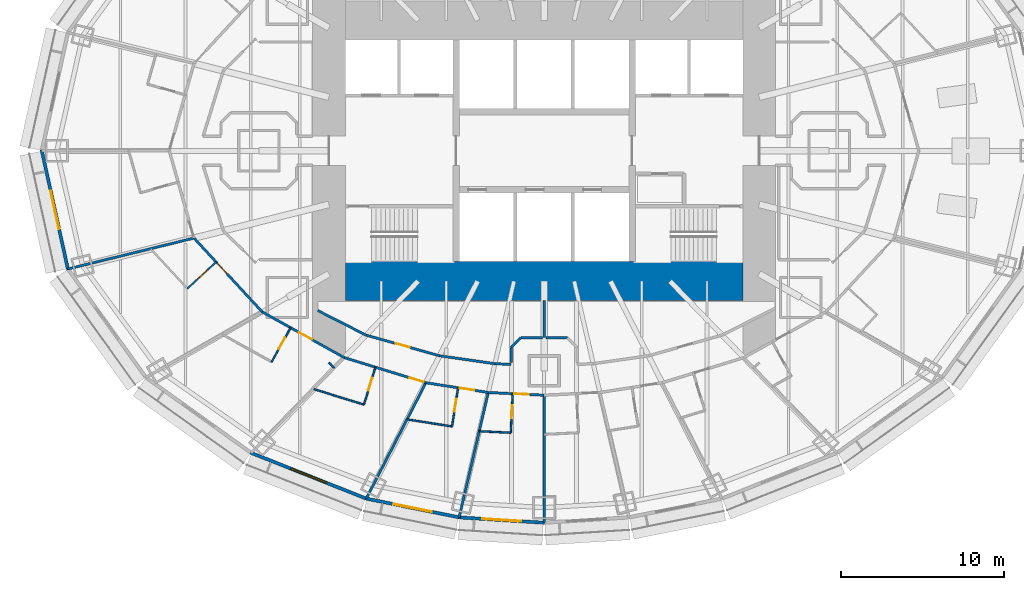
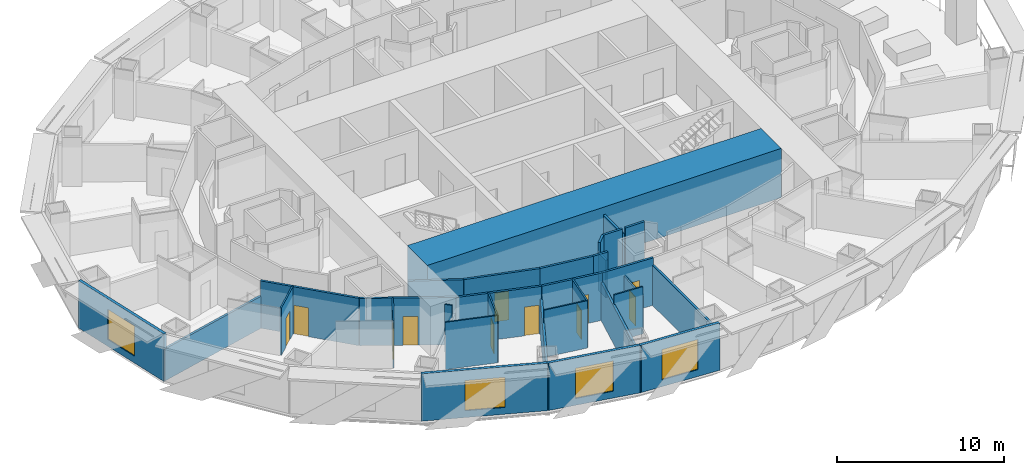
# One storey, part 5 of 17: 32 walls, 11 doors, 4 windows, 15 openings.
"""IFC4 building model written with IfcOpenShell, lengths in metres."""

from ifc_helpers import new_model, si_unit, direction, frame, frame_2d, origin, place, context, subcontext, project, spatial, rectangle, extrude, material, layer, layer_set, type_object, element, fill, save


model = new_model("IFC4")

# Units and contexts
model_context = context("Model", 3, precision=1e-05, world=origin(), true_north=direction((0.0, 1.0)))
body_context = subcontext(model_context, "Body", "Model", "MODEL_VIEW")
ifc_project = project(units=[si_unit("LENGTHUNIT", "METRE"), si_unit("AREAUNIT", "SQUARE_METRE"), si_unit("VOLUMEUNIT", "CUBIC_METRE"), si_unit("PLANEANGLEUNIT", "RADIAN"), si_unit("MASSUNIT", "GRAM", prefix="KILO")], contexts=[model_context])

# Site, building, storey
site_placement = place(None, origin())
site = spatial("IfcSite", under=ifc_project, at=site_placement, CompositionType="ELEMENT")
building_placement = place(site_placement, origin())
building = spatial("IfcBuilding", under=site, at=building_placement, Name="Lantaw Convention Tower", CompositionType="ELEMENT")
storey_placement = place(building_placement, frame((0.0, 0.0, 69.39990234375)))
storey = spatial("IfcBuildingStorey", under=building, at=storey_placement, Name="L15", CompositionType="ELEMENT", Elevation=69.39990234375)

# Walls
ifc_material_1 = material(Name="Gypsum board on steel studs", Category="steel")
ifc_layer_1 = layer(ifc_material_1, 0.14990234375)
ifc_layer_set_1 = layer_set([ifc_layer_1], Name="Back of house wall 150")
wall_type_1 = type_object("IfcWallType", Name="Back of house wall 150", PredefinedType="PARTITIONING", material=ifc_layer_set_1)
wall_1_placement = place(storey_placement, frame((0.0, -9.199951171875, 0.0), z_axis=(0.0, 0.0, 1.0), x_axis=(0.0, -1.0, 0.0)))
element("IfcWall", 1, at=wall_1_placement, inside=storey, type_object=wall_type_1, Name="Back of house wall 150", PredefinedType="PARTITIONING", context=body_context, shape_type="SweptSolid", body=[
    extrude(rectangle(XDim=2.26513671875, YDim=0.14990234375, at=frame_2d((1.132568359375, 0.0))), origin(), (0.0, 0.0, 1.0), 3.043701171875),
])
wall_2_placement = place(storey_placement, frame((-2.02490234375, -12.075439453125, 0.0), z_axis=(0.0, 0.0, 1.0), x_axis=(0.707106781187, 0.707106781187, 0.0)))
element("IfcWall", 2, at=wall_2_placement, inside=storey, type_object=wall_type_1, Name="Back of house wall 150", PredefinedType="PARTITIONING", context=body_context, shape_type="SweptSolid", body=[
    extrude(rectangle(XDim=0.84912109375, YDim=0.14990234375, at=frame_2d((0.424560546875, 0.0))), origin(), (0.0, 0.0, 1.0), 3.4501953125),
])
for number, where, z_axis, x_axis, name in (
    (3, (-1.424560546875, -11.47509765625, 0.0), (0.0, 0.0, 1.0), (1.0, 0.0, 0.0), "Back of house wall 150"),
    (4, (0.103271484375, -11.47509765625, 0.0), (0.0, 0.0, 1.0), (1.0, 0.0, 0.0), "Back of house wall 150"),
):
    element("IfcWall", number, at=place(storey_placement, frame(where, z_axis=z_axis, x_axis=x_axis)), inside=storey, type_object=wall_type_1, Name=name, PredefinedType="PARTITIONING", context=body_context, shape_type="SweptSolid", body=[
        extrude(rectangle(XDim=1.3212890625, YDim=0.14990234375, at=frame_2d((0.66064453125, 0.0))), origin(), (0.0, 0.0, 1.0), 3.4501953125),
    ])

# Wall, opening, door
ifc_material_2 = material(Name="Moisture resistant gypsum board on steel studs", Category="steel")
ifc_layer_2 = layer(ifc_material_2, 0.10009765625)
ifc_layer_set_2 = layer_set([ifc_layer_2], Name="Bathroom wall 100")
wall_type_2 = type_object("IfcWallType", Name="Bathroom wall 100", PredefinedType="PARTITIONING", material=ifc_layer_set_2)
wall_3_placement = place(storey_placement, frame((-20.126220703125, -6.825439453125, 0.0), z_axis=(0.0, 0.0, 1.0), x_axis=(-0.73447964986, -0.678630712495, 0.0)))
wall_3 = element("IfcWall", 5, at=wall_3_placement, inside=storey, type_object=wall_type_2, Name="Bathroom wall 100", PredefinedType="PARTITIONING", context=body_context, shape_type="SweptSolid", body=[
    extrude(rectangle(XDim=2.39990234375, YDim=0.10009765625, at=frame_2d((1.199951171875, 0.0))), origin(), (0.0, 0.0, 1.0), 3.4501953125),
])
opening_1_placement = place(wall_3_placement, frame((0.699951171875, 0.0, 0.0)))
opening_1 = element("IfcOpeningElement", 6, at=opening_1_placement, cuts=wall_3, Name="Opening L15.49", PredefinedType="OPENING", context=body_context, shape_type="SweptSolid", body=[
    extrude(rectangle(XDim=0.800048828125, YDim=2.10009765625, at=frame_2d((0.39990234375, 1.050048828125))), frame((0.0, 0.06005859375, 0.0), z_axis=(0.0, -1.0, 0.0), x_axis=(1.0, 0.0, 0.0)), (0.0, 0.0, 1.0), 0.1201171875),
])
ifc_material_3 = material(Name="Timber", Category="wood")
door_type_1 = type_object("IfcDoorType", Name="Bathroom door 800", OperationType="SINGLE_SWING_LEFT", PredefinedType="DOOR", material=ifc_material_3)
door_1_placement = place(opening_1_placement, origin())
door_1 = element("IfcDoor", 7, at=door_1_placement, inside=storey, type_object=door_type_1, Name="Bathroom door", OperationType="SINGLE_SWING_LEFT", OverallHeight=2.10009765625, OverallWidth=0.800048828125, PredefinedType="DOOR", context=body_context, shape_type="SweptSolid", body=[
    extrude(rectangle(XDim=0.800048828125, YDim=2.10009765625, at=frame_2d((0.39990234375, 1.050048828125))), frame((0.0, 0.02490234375, 0.0), z_axis=(0.0, -1.0, 0.0), x_axis=(1.0, 0.0, 0.0)), (0.0, 0.0, 1.0), 0.050048828125),
])
fill(opening_1, door_1)

wall_4_placement = place(storey_placement, frame((-15.5517578125, -10.858154296875, 0.0), z_axis=(0.0, 0.0, 1.0), x_axis=(-0.486445964861, -0.873710663361, 0.0)))
wall_4 = element("IfcWall", 8, at=wall_4_placement, inside=storey, type_object=wall_type_2, Name="Bathroom wall 100", PredefinedType="PARTITIONING", context=body_context, shape_type="SweptSolid", body=[
    extrude(rectangle(XDim=2.39990234375, YDim=0.10009765625, at=frame_2d((1.199951171875, 0.0))), origin(), (0.0, 0.0, 1.0), 3.4501953125),
])
opening_2_placement = place(wall_4_placement, frame((0.699951171875, 0.0, 0.0)))
opening_2 = element("IfcOpeningElement", 9, at=opening_2_placement, cuts=wall_4, Name="Opening L15.51", PredefinedType="OPENING", context=body_context, shape_type="SweptSolid", body=[
    extrude(rectangle(XDim=0.800048828125, YDim=2.10009765625, at=frame_2d((0.39990234375, 1.050048828125))), frame((0.0, 0.06005859375, 0.0), z_axis=(0.0, -1.0, 0.0), x_axis=(1.0, 0.0, 0.0)), (0.0, 0.0, 1.0), 0.1201171875),
])
door_2_placement = place(opening_2_placement, origin())
door_2 = element("IfcDoor", 10, at=door_2_placement, inside=storey, type_object=door_type_1, Name="Bathroom door", OperationType="SINGLE_SWING_LEFT", OverallHeight=2.10009765625, OverallWidth=0.800048828125, PredefinedType="DOOR", context=body_context, shape_type="SweptSolid", body=[
    extrude(rectangle(XDim=0.800048828125, YDim=2.10009765625, at=frame_2d((0.39990234375, 1.050048828125))), frame((0.0, 0.02490234375, 0.0), z_axis=(0.0, -1.0, 0.0), x_axis=(1.0, 0.0, 0.0)), (0.0, 0.0, 1.0), 0.050048828125),
])
fill(opening_2, door_2)

wall_5_placement = place(storey_placement, frame((-10.345703125, -13.281494140625, 0.0), z_axis=(0.0, 0.0, 1.0), x_axis=(-0.294478957423, -0.955657963727, 0.0)))
wall_5 = element("IfcWall", 11, at=wall_5_placement, inside=storey, type_object=wall_type_2, Name="Bathroom wall 100", PredefinedType="PARTITIONING", context=body_context, shape_type="SweptSolid", body=[
    extrude(rectangle(XDim=2.400146484375, YDim=0.10009765625, at=frame_2d((1.2001953125, 0.0))), origin(), (0.0, 0.0, 1.0), 3.4501953125),
])
opening_3_placement = place(wall_5_placement, frame((0.699951171875, 0.0, 0.0)))
opening_3 = element("IfcOpeningElement", 12, at=opening_3_placement, cuts=wall_5, Name="Opening L15.53", PredefinedType="OPENING", context=body_context, shape_type="SweptSolid", body=[
    extrude(rectangle(XDim=0.800048828125, YDim=2.10009765625, at=frame_2d((0.39990234375, 1.050048828125))), frame((0.0, 0.06005859375, 0.0), z_axis=(0.0, -1.0, 0.0), x_axis=(1.0, 0.0, 0.0)), (0.0, 0.0, 1.0), 0.1201171875),
])
door_3_placement = place(opening_3_placement, origin())
door_3 = element("IfcDoor", 13, at=door_3_placement, inside=storey, type_object=door_type_1, Name="Bathroom door", OperationType="SINGLE_SWING_LEFT", OverallHeight=2.10009765625, OverallWidth=0.800048828125, PredefinedType="DOOR", context=body_context, shape_type="SweptSolid", body=[
    extrude(rectangle(XDim=0.800048828125, YDim=2.10009765625, at=frame_2d((0.39990234375, 1.050048828125))), frame((0.0, 0.02490234375, 0.0), z_axis=(0.0, -1.0, 0.0), x_axis=(1.0, 0.0, 0.0)), (0.0, 0.0, 1.0), 0.050048828125),
])
fill(opening_3, door_3)

# Wall
wall_6_placement = place(storey_placement, frame((-11.052490234375, -15.5751953125, 0.0), z_axis=(0.0, 0.0, 1.0), x_axis=(-0.955641033268, 0.294533895391, 0.0)))
element("IfcWall", 14, at=wall_6_placement, inside=storey, type_object=wall_type_2, Name="Bathroom wall 100", PredefinedType="PARTITIONING", context=body_context, shape_type="SweptSolid", body=[
    extrude(rectangle(XDim=3.216064453125, YDim=0.10009765625, at=frame_2d((1.60791015625, 0.0))), origin(), (0.0, 0.0, 1.0), 3.4501953125),
])

# Wall, opening, door
wall_7_placement = place(storey_placement, frame((-5.27685546875, -14.54345703125, 0.0), z_axis=(0.0, 0.0, 1.0), x_axis=(-0.154426532979, -0.988004274238, 0.0)))
wall_7 = element("IfcWall", 15, at=wall_7_placement, inside=storey, type_object=wall_type_2, Name="Bathroom wall 100", PredefinedType="PARTITIONING", context=body_context, shape_type="SweptSolid", body=[
    extrude(rectangle(XDim=2.39990234375, YDim=0.10009765625, at=frame_2d((1.199951171875, 0.0))), origin(), (0.0, 0.0, 1.0), 3.4501953125),
])
opening_4_placement = place(wall_7_placement, frame((0.699951171875, 0.0, 0.0)))
opening_4 = element("IfcOpeningElement", 16, at=opening_4_placement, cuts=wall_7, Name="Opening L15.55", PredefinedType="OPENING", context=body_context, shape_type="SweptSolid", body=[
    extrude(rectangle(XDim=0.800048828125, YDim=2.10009765625, at=frame_2d((0.39990234375, 1.050048828125))), frame((0.0, 0.06005859375, 0.0), z_axis=(0.0, -1.0, 0.0), x_axis=(1.0, 0.0, 0.0)), (0.0, 0.0, 1.0), 0.1201171875),
])
door_4_placement = place(opening_4_placement, origin())
door_4 = element("IfcDoor", 17, at=door_4_placement, inside=storey, type_object=door_type_1, Name="Bathroom door", OperationType="SINGLE_SWING_LEFT", OverallHeight=2.10009765625, OverallWidth=0.800048828125, PredefinedType="DOOR", context=body_context, shape_type="SweptSolid", body=[
    extrude(rectangle(XDim=0.800048828125, YDim=2.10009765625, at=frame_2d((0.39990234375, 1.050048828125))), frame((0.0, 0.02490234375, 0.0), z_axis=(0.0, -1.0, 0.0), x_axis=(1.0, 0.0, 0.0)), (0.0, 0.0, 1.0), 0.050048828125),
])
fill(opening_4, door_4)

# Wall
wall_8_placement = place(storey_placement, frame((-5.6474609375, -16.91455078125, 0.0), z_axis=(0.0, 0.0, 1.0), x_axis=(-0.988015375833, 0.154355489429, 0.0)))
element("IfcWall", 18, at=wall_8_placement, inside=storey, type_object=wall_type_2, Name="Bathroom wall 100", PredefinedType="PARTITIONING", context=body_context, shape_type="SweptSolid", body=[
    extrude(rectangle(XDim=2.785400390625, YDim=0.10009765625, at=frame_2d((1.392578125, 0.0))), origin(), (0.0, 0.0, 1.0), 3.4501953125),
])

# Wall, opening, door
wall_9_placement = place(storey_placement, frame((-1.92626953125, -14.906005859375, 0.0), z_axis=(0.0, 0.0, 1.0), x_axis=(-0.048725028858, -0.998812230383, 0.0)))
wall_9 = element("IfcWall", 19, at=wall_9_placement, inside=storey, type_object=wall_type_2, Name="Bathroom wall 100", PredefinedType="PARTITIONING", context=body_context, shape_type="SweptSolid", body=[
    extrude(rectangle(XDim=2.400146484375, YDim=0.10009765625, at=frame_2d((1.2001953125, 0.0))), origin(), (0.0, 0.0, 1.0), 2.7490234375),
])
opening_5_placement = place(wall_9_placement, frame((0.699951171875, 0.0, 0.0)))
opening_5 = element("IfcOpeningElement", 20, at=opening_5_placement, cuts=wall_9, Name="Opening L15.57", PredefinedType="OPENING", context=body_context, shape_type="SweptSolid", body=[
    extrude(rectangle(XDim=0.800048828125, YDim=2.10009765625, at=frame_2d((0.39990234375, 1.050048828125))), frame((0.0, 0.06005859375, 0.0), z_axis=(0.0, -1.0, 0.0), x_axis=(1.0, 0.0, 0.0)), (0.0, 0.0, 1.0), 0.1201171875),
])
door_5_placement = place(opening_5_placement, origin())
door_5 = element("IfcDoor", 21, at=door_5_placement, inside=storey, type_object=door_type_1, Name="Bathroom door", OperationType="SINGLE_SWING_LEFT", OverallHeight=2.10009765625, OverallWidth=0.800048828125, PredefinedType="DOOR", context=body_context, shape_type="SweptSolid", body=[
    extrude(rectangle(XDim=0.800048828125, YDim=2.10009765625, at=frame_2d((0.39990234375, 1.050048828125))), frame((0.0, 0.02490234375, 0.0), z_axis=(0.0, -1.0, 0.0), x_axis=(1.0, 0.0, 0.0)), (0.0, 0.0, 1.0), 0.050048828125),
])
fill(opening_5, door_5)

# Walls
wall_10_placement = place(storey_placement, frame((-2.043212890625, -17.30322265625, 0.0), z_axis=(0.0, 0.0, 1.0), x_axis=(-0.998809649749, 0.048777900405, 0.0)))
element("IfcWall", 22, at=wall_10_placement, inside=storey, type_object=wall_type_2, Name="Bathroom wall 100", PredefinedType="PARTITIONING", context=body_context, shape_type="SweptSolid", body=[
    extrude(rectangle(XDim=1.931884765625, YDim=0.10009765625, at=frame_2d((0.9658203125, 0.0))), origin(), (0.0, 0.0, 1.0), 3.4501953125),
])
ifc_material_4 = material(Name="Concrete C60/75", Category="concrete")
ifc_layer_3 = layer(ifc_material_4, 2.39990234375)
ifc_layer_set_3 = layer_set([ifc_layer_3], Name="Core wall 2400")
wall_type_3 = type_object("IfcWallType", Name="Core wall 2400", PredefinedType="SHEAR", material=ifc_layer_set_3)
wall_11_placement = place(storey_placement, frame((-12.199951171875, -8.0, 0.0), z_axis=(0.0, 0.0, 1.0), x_axis=(1.0, 0.0, 0.0)))
element("IfcWall", 23, at=wall_11_placement, inside=storey, type_object=wall_type_3, Name="Core wall S", PredefinedType="SHEAR", context=body_context, shape_type="SweptSolid", body=[
    extrude(rectangle(XDim=24.39990234375, YDim=2.39990234375, at=frame_2d((12.199951171875, 0.0))), origin(), (0.0, 0.0, 1.0), 3.60009765625),
])

# Wall, opening, door
ifc_material_5 = material(Name="Gypsum board on steel studs, fire rated", Category="steel")
ifc_layer_4 = layer(ifc_material_5, 0.14990234375)
ifc_layer_set_4 = layer_set([ifc_layer_4], Name="Corridor wall 150 EI 60")
wall_type_4 = type_object("IfcWallType", Name="Corridor wall 150 EI 60", PredefinedType="PARTITIONING", material=ifc_layer_set_4)
wall_12_placement = place(storey_placement, frame((-21.483642578125, -5.3564453125, 0.0), z_axis=(0.0, 0.0, 1.0), x_axis=(0.678641806296, -0.734469399463, 0.0)))
wall_12 = element("IfcWall", 24, at=wall_12_placement, inside=storey, type_object=wall_type_4, Name="Corridor wall 150", PredefinedType="PARTITIONING", context=body_context, shape_type="SweptSolid", body=[
    extrude(rectangle(XDim=6.166015625, YDim=0.14990234375, at=frame_2d((3.0830078125, 0.0))), origin(), (0.0, 0.0, 1.0), 3.4501953125),
])
opening_6_placement = place(wall_12_placement, frame((2.10009765625, 0.0, 0.0)))
opening_6 = element("IfcOpeningElement", 25, at=opening_6_placement, cuts=wall_12, Name="Opening L15.50", PredefinedType="OPENING", context=body_context, shape_type="SweptSolid", body=[
    extrude(rectangle(XDim=0.89990234375, YDim=2.10009765625, at=frame_2d((0.449951171875, 1.050048828125))), frame((0.0, 0.0849609375, 0.0), z_axis=(0.0, -1.0, 0.0), x_axis=(1.0, 0.0, 0.0)), (0.0, 0.0, 1.0), 0.169921875),
])
ifc_material_6 = material(Name="Steel, fire rated", Category="steel")
door_type_2 = type_object("IfcDoorType", Name="Guest room entrance door FD30S", OperationType="SINGLE_SWING_LEFT", PredefinedType="DOOR", material=ifc_material_6)
door_6_placement = place(opening_6_placement, origin())
door_6 = element("IfcDoor", 26, at=door_6_placement, inside=storey, type_object=door_type_2, Name="Guest room entrance door", OperationType="SINGLE_SWING_LEFT", OverallHeight=2.10009765625, OverallWidth=0.89990234375, PredefinedType="DOOR", context=body_context, shape_type="SweptSolid", body=[
    extrude(rectangle(XDim=0.89990234375, YDim=2.10009765625, at=frame_2d((0.449951171875, 1.050048828125))), frame((0.0, 0.02490234375, 0.0), z_axis=(0.0, -1.0, 0.0), x_axis=(1.0, 0.0, 0.0)), (0.0, 0.0, 1.0), 0.050048828125),
])
fill(opening_6, door_6)

wall_13_placement = place(storey_placement, frame((-17.299072265625, -9.88525390625, 0.0), z_axis=(0.0, 0.0, 1.0), x_axis=(0.873695910579, -0.486472461541, 0.0)))
wall_13 = element("IfcWall", 27, at=wall_13_placement, inside=storey, type_object=wall_type_4, Name="Corridor wall 150", PredefinedType="PARTITIONING", context=body_context, shape_type="SweptSolid", body=[
    extrude(rectangle(XDim=5.77099609375, YDim=0.14990234375, at=frame_2d((2.885498046875, 0.0))), origin(), (0.0, 0.0, 1.0), 3.4501953125),
])
opening_7_placement = place(wall_13_placement, frame((2.60009765625, 0.0, 0.0)))
opening_7 = element("IfcOpeningElement", 28, at=opening_7_placement, cuts=wall_13, Name="Opening L15.52", PredefinedType="OPENING", context=body_context, shape_type="SweptSolid", body=[
    extrude(rectangle(XDim=0.89990234375, YDim=2.10009765625, at=frame_2d((0.449951171875, 1.050048828125))), frame((0.0, 0.0849609375, 0.0), z_axis=(0.0, -1.0, 0.0), x_axis=(1.0, 0.0, 0.0)), (0.0, 0.0, 1.0), 0.169921875),
])
door_7_placement = place(opening_7_placement, origin())
door_7 = element("IfcDoor", 29, at=door_7_placement, inside=storey, type_object=door_type_2, Name="Guest room entrance door", OperationType="SINGLE_SWING_LEFT", OverallHeight=2.10009765625, OverallWidth=0.89990234375, PredefinedType="DOOR", context=body_context, shape_type="SweptSolid", body=[
    extrude(rectangle(XDim=0.89990234375, YDim=2.10009765625, at=frame_2d((0.449951171875, 1.050048828125))), frame((0.0, 0.02490234375, 0.0), z_axis=(0.0, -1.0, 0.0), x_axis=(1.0, 0.0, 0.0)), (0.0, 0.0, 1.0), 0.050048828125),
])
fill(opening_7, door_7)

wall_14_placement = place(storey_placement, frame((-12.257080078125, -12.692626953125, 0.0), z_axis=(0.0, 0.0, 1.0), x_axis=(0.955657956744, -0.294478980085, 0.0)))
wall_14 = element("IfcWall", 30, at=wall_14_placement, inside=storey, type_object=wall_type_4, Name="Corridor wall 150", PredefinedType="PARTITIONING", context=body_context, shape_type="SweptSolid", body=[
    extrude(rectangle(XDim=5.236328125, YDim=0.14990234375, at=frame_2d((2.6181640625, 0.0))), origin(), (0.0, 0.0, 1.0), 3.4501953125),
])
opening_8_placement = place(wall_14_placement, frame((4.186279296875, 0.0, 0.0)))
opening_8 = element("IfcOpeningElement", 31, at=opening_8_placement, cuts=wall_14, Name="Opening L15.54", PredefinedType="OPENING", context=body_context, shape_type="SweptSolid", body=[
    extrude(rectangle(XDim=0.89990234375, YDim=2.10009765625, at=frame_2d((0.449951171875, 1.050048828125))), frame((0.0, 0.0849609375, 0.0), z_axis=(0.0, -1.0, 0.0), x_axis=(1.0, 0.0, 0.0)), (0.0, 0.0, 1.0), 0.169921875),
])
door_8_placement = place(opening_8_placement, origin())
door_8 = element("IfcDoor", 32, at=door_8_placement, inside=storey, type_object=door_type_2, Name="Guest room entrance door", OperationType="SINGLE_SWING_LEFT", OverallHeight=2.10009765625, OverallWidth=0.89990234375, PredefinedType="DOOR", context=body_context, shape_type="SweptSolid", body=[
    extrude(rectangle(XDim=0.89990234375, YDim=2.10009765625, at=frame_2d((0.449951171875, 1.050048828125))), frame((0.0, 0.02490234375, 0.0), z_axis=(0.0, -1.0, 0.0), x_axis=(1.0, 0.0, 0.0)), (0.0, 0.0, 1.0), 0.050048828125),
])
fill(opening_8, door_8)

wall_15_placement = place(storey_placement, frame((-7.2529296875, -14.234619140625, 0.0), z_axis=(0.0, 0.0, 1.0), x_axis=(0.988015036573, -0.154357660987, 0.0)))
wall_15 = element("IfcWall", 33, at=wall_15_placement, inside=storey, type_object=wall_type_4, Name="Corridor wall 150", PredefinedType="PARTITIONING", context=body_context, shape_type="SweptSolid", body=[
    extrude(rectangle(XDim=3.875, YDim=0.14990234375, at=frame_2d((1.9375, 0.0))), origin(), (0.0, 0.0, 1.0), 3.4501953125),
])
opening_9_placement = place(wall_15_placement, frame((2.10009765625, 0.0, 0.0)))
opening_9 = element("IfcOpeningElement", 34, at=opening_9_placement, cuts=wall_15, Name="Opening L15.56", PredefinedType="OPENING", context=body_context, shape_type="SweptSolid", body=[
    extrude(rectangle(XDim=0.89990234375, YDim=2.10009765625, at=frame_2d((0.449951171875, 1.050048828125))), frame((0.0, 0.0849609375, 0.0), z_axis=(0.0, -1.0, 0.0), x_axis=(1.0, 0.0, 0.0)), (0.0, 0.0, 1.0), 0.169921875),
])
door_9_placement = place(opening_9_placement, origin())
door_9 = element("IfcDoor", 35, at=door_9_placement, inside=storey, type_object=door_type_2, Name="Guest room entrance door", OperationType="SINGLE_SWING_LEFT", OverallHeight=2.10009765625, OverallWidth=0.89990234375, PredefinedType="DOOR", context=body_context, shape_type="SweptSolid", body=[
    extrude(rectangle(XDim=0.89990234375, YDim=2.10009765625, at=frame_2d((0.449951171875, 1.050048828125))), frame((0.0, 0.02490234375, 0.0), z_axis=(0.0, -1.0, 0.0), x_axis=(1.0, 0.0, 0.0)), (0.0, 0.0, 1.0), 0.050048828125),
])
fill(opening_9, door_9)

wall_16_placement = place(storey_placement, frame((-3.42431640625, -14.832763671875, 0.0), z_axis=(0.0, 0.0, 1.0), x_axis=(0.998809560203, -0.048779733975, 0.0)))
wall_16 = element("IfcWall", 36, at=wall_16_placement, inside=storey, type_object=wall_type_4, Name="Corridor wall 150", PredefinedType="PARTITIONING", context=body_context, shape_type="SweptSolid", body=[
    extrude(rectangle(XDim=3.428466796875, YDim=0.14990234375, at=frame_2d((1.71435546875, 0.0))), origin(), (0.0, 0.0, 1.0), 3.4501953125),
])
opening_10_placement = place(wall_16_placement, frame((1.60009765625, 0.0, 0.0)))
opening_10 = element("IfcOpeningElement", 37, at=opening_10_placement, cuts=wall_16, Name="Opening L15.58", PredefinedType="OPENING", context=body_context, shape_type="SweptSolid", body=[
    extrude(rectangle(XDim=0.89990234375, YDim=2.10009765625, at=frame_2d((0.449951171875, 1.050048828125))), frame((0.0, 0.0849609375, 0.0), z_axis=(0.0, -1.0, 0.0), x_axis=(1.0, 0.0, 0.0)), (0.0, 0.0, 1.0), 0.169921875),
])
door_10_placement = place(opening_10_placement, origin())
door_10 = element("IfcDoor", 38, at=door_10_placement, inside=storey, type_object=door_type_2, Name="Guest room entrance door", OperationType="SINGLE_SWING_LEFT", OverallHeight=2.10009765625, OverallWidth=0.89990234375, PredefinedType="DOOR", context=body_context, shape_type="SweptSolid", body=[
    extrude(rectangle(XDim=0.89990234375, YDim=2.10009765625, at=frame_2d((0.449951171875, 1.050048828125))), frame((0.0, 0.02490234375, 0.0), z_axis=(0.0, -1.0, 0.0), x_axis=(1.0, 0.0, 0.0)), (0.0, 0.0, 1.0), 0.050048828125),
])
fill(opening_10, door_10)

wall_17_placement = place(storey_placement, frame((-10.92431640625, -11.3125, 0.0), z_axis=(0.0, 0.0, 1.0), x_axis=(0.962643729928, -0.270771211967, 0.0)))
wall_17 = element("IfcWall", 39, at=wall_17_placement, inside=storey, type_object=wall_type_4, Name="Corridor wall 150", PredefinedType="PARTITIONING", context=body_context, shape_type="SweptSolid", body=[
    extrude(rectangle(XDim=4.6884765625, YDim=0.14990234375, at=frame_2d((2.34423828125, 0.0))), origin(), (0.0, 0.0, 1.0), 3.4501953125),
])
opening_11_placement = place(wall_17_placement, frame((1.894287109375, 0.0, 0.0)))
opening_11 = element("IfcOpeningElement", 40, at=opening_11_placement, cuts=wall_17, Name="Opening L15.21", PredefinedType="OPENING", context=body_context, shape_type="SweptSolid", body=[
    extrude(rectangle(XDim=0.89990234375, YDim=2.10009765625, at=frame_2d((0.449951171875, 1.050048828125))), frame((0.0, 0.0849609375, 0.0), z_axis=(0.0, -1.0, 0.0), x_axis=(1.0, 0.0, 0.0)), (0.0, 0.0, 1.0), 0.169921875),
])
door_type_3 = type_object("IfcDoorType", Name="Service door 900 FD30", OperationType="SINGLE_SWING_LEFT", PredefinedType="DOOR", material=ifc_material_6)
door_11_placement = place(opening_11_placement, origin())
door_11 = element("IfcDoor", 41, at=door_11_placement, inside=storey, type_object=door_type_3, Name="Staff locker room door", OperationType="SINGLE_SWING_LEFT", OverallHeight=2.10009765625, OverallWidth=0.89990234375, PredefinedType="DOOR", context=body_context, shape_type="SweptSolid", body=[
    extrude(rectangle(XDim=0.89990234375, YDim=2.10009765625, at=frame_2d((0.449951171875, 1.050048828125))), frame((0.0, 0.02490234375, 0.0), z_axis=(0.0, -1.0, 0.0), x_axis=(1.0, 0.0, 0.0)), (0.0, 0.0, 1.0), 0.050048828125),
])
fill(opening_11, door_11)

# Walls
wall_18_placement = place(storey_placement, frame((-6.410888671875, -12.58203125, 0.0), z_axis=(0.0, 0.0, 1.0), x_axis=(0.990002114939, -0.14105251652, 0.0)))
element("IfcWall", 42, at=wall_18_placement, inside=storey, type_object=wall_type_4, Name="Corridor wall 150", PredefinedType="PARTITIONING", context=body_context, shape_type="SweptSolid", body=[
    extrude(rectangle(XDim=3.4287109375, YDim=0.14990234375, at=frame_2d((1.71435546875, 0.0))), origin(), (0.0, 0.0, 1.0), 3.4501953125),
])
wall_19_placement = place(storey_placement, frame((-13.889892578125, -9.8046875, 0.0), z_axis=(0.0, 0.0, 1.0), x_axis=(0.891398195277, -0.453220980821, 0.0)))
element("IfcWall", 43, at=wall_19_placement, inside=storey, type_object=wall_type_4, Name="Corridor wall 150", PredefinedType="PARTITIONING", context=body_context, shape_type="SweptSolid", body=[
    extrude(rectangle(XDim=3.326904296875, YDim=0.14990234375, at=frame_2d((1.66357421875, 0.0))), origin(), (0.0, 0.0, 1.0), 3.4501953125),
])
wall_20_placement = place(storey_placement, frame((-3.016357421875, -13.065673828125, 0.0), z_axis=(0.0, 0.0, 1.0), x_axis=(0.999010128674, -0.044483286824, 0.0)))
element("IfcWall", 44, at=wall_20_placement, inside=storey, type_object=wall_type_4, Name="Corridor wall 150", PredefinedType="PARTITIONING", context=body_context, shape_type="SweptSolid", body=[
    extrude(rectangle(XDim=0.982421875, YDim=0.14990234375, at=frame_2d((0.4912109375, 0.0))), origin(), (0.0, 0.0, 1.0), 3.4501953125),
])
wall_21_placement = place(storey_placement, frame((-2.02490234375, -13.005126953125, 0.0), z_axis=(0.0, 0.0, 1.0), x_axis=(0.0, 1.0, 0.0)))
element("IfcWall", 45, at=wall_21_placement, inside=storey, type_object=wall_type_4, Name="Corridor wall 150", PredefinedType="PARTITIONING", context=body_context, shape_type="SweptSolid", body=[
    extrude(rectangle(XDim=0.9296875, YDim=0.14990234375, at=frame_2d((0.46484375, 0.0))), origin(), (0.0, 0.0, 1.0), 2.7490234375),
])

# Wall, opening, window
ifc_material_7 = material(Name="Insulated aluminium panel on steel frame", Category="steel")
ifc_layer_5 = layer(ifc_material_7, 0.199951171875)
ifc_layer_set_5 = layer_set([ifc_layer_5], Name="External wall 200")
wall_type_5 = type_object("IfcWallType", Name="External wall 200", PredefinedType="SOLIDWALL", material=ifc_layer_set_5)
wall_22_placement = place(storey_placement, frame((-30.83544921875, 0.06689453125, 0.0), z_axis=(0.0, 0.0, 1.0), x_axis=(0.215238065514, -0.976561608478, 0.0)))
wall_22 = element("IfcWall", 46, at=wall_22_placement, inside=storey, type_object=wall_type_5, Name="Facade panel wall", PredefinedType="SOLIDWALL", context=body_context, shape_type="SweptSolid", body=[
    extrude(rectangle(XDim=7.562255859375, YDim=0.199951171875, at=frame_2d((3.78125, 0.0))), origin(), (0.0, 0.0, 1.0), 3.4501953125),
])
opening_12_placement = place(wall_22_placement, frame((2.581298828125, 0.0, 0.5)))
opening_12 = element("IfcOpeningElement", 47, at=opening_12_placement, cuts=wall_22, Name="Opening W1", PredefinedType="OPENING", context=body_context, shape_type="SweptSolid", body=[
    extrude(rectangle(XDim=2.39990234375, YDim=2.199951171875, at=frame_2d((1.199951171875, 1.10009765625))), frame((0.0, 0.10986328125, 0.0), z_axis=(0.0, -1.0, 0.0), x_axis=(1.0, 0.0, 0.0)), (0.0, 0.0, 1.0), 0.219970703125),
])
ifc_material_8 = material(Name="Aluminium frame, clear insulating glass", Category="aluminium")
window_type = type_object("IfcWindowType", Name="Guest room window 2400x2200", PartitioningType="SINGLE_PANEL", PredefinedType="WINDOW", material=ifc_material_8)
window_1_placement = place(opening_12_placement, origin())
window_1 = element("IfcWindow", 48, at=window_1_placement, inside=storey, type_object=window_type, Name="Guest room window", OverallHeight=2.199951171875, OverallWidth=2.39990234375, PartitioningType="SINGLE_PANEL", PredefinedType="WINDOW", context=body_context, shape_type="SweptSolid", body=[
    extrude(rectangle(XDim=2.39990234375, YDim=2.199951171875, at=frame_2d((1.199951171875, 1.10009765625))), frame((0.0, 0.030029296875, 0.0), z_axis=(0.0, -1.0, 0.0), x_axis=(1.0, 0.0, 0.0)), (0.0, 0.0, 1.0), 0.06005859375),
])
fill(opening_12, window_1)

wall_23_placement = place(storey_placement, frame((-18.018310546875, -18.522705078125, 0.0), z_axis=(0.0, 0.0, 1.0), x_axis=(0.929358351251, -0.369178892895, 0.0)))
wall_23 = element("IfcWall", 49, at=wall_23_placement, inside=storey, type_object=wall_type_5, Name="Facade panel wall", PredefinedType="SOLIDWALL", context=body_context, shape_type="SweptSolid", body=[
    extrude(rectangle(XDim=7.6923828125, YDim=0.199951171875, at=frame_2d((3.84619140625, 0.0))), origin(), (0.0, 0.0, 1.0), 3.4501953125),
])
opening_13_placement = place(wall_23_placement, frame((2.64599609375, 0.0, 0.5)))
opening_13 = element("IfcOpeningElement", 50, at=opening_13_placement, cuts=wall_23, Name="Opening W1", PredefinedType="OPENING", context=body_context, shape_type="SweptSolid", body=[
    extrude(rectangle(XDim=2.39990234375, YDim=2.199951171875, at=frame_2d((1.199951171875, 1.10009765625))), frame((0.0, 0.10986328125, 0.0), z_axis=(0.0, -1.0, 0.0), x_axis=(1.0, 0.0, 0.0)), (0.0, 0.0, 1.0), 0.219970703125),
])
window_2_placement = place(opening_13_placement, origin())
window_2 = element("IfcWindow", 51, at=window_2_placement, inside=storey, type_object=window_type, Name="Guest room window", OverallHeight=2.199951171875, OverallWidth=2.39990234375, PartitioningType="SINGLE_PANEL", PredefinedType="WINDOW", context=body_context, shape_type="SweptSolid", body=[
    extrude(rectangle(XDim=2.39990234375, YDim=2.199951171875, at=frame_2d((1.199951171875, 1.10009765625))), frame((0.0, 0.030029296875, 0.0), z_axis=(0.0, -1.0, 0.0), x_axis=(1.0, 0.0, 0.0)), (0.0, 0.0, 1.0), 0.06005859375),
])
fill(opening_13, window_2)

wall_24_placement = place(storey_placement, frame((-10.956787109375, -21.336669921875, 0.0), z_axis=(0.0, 0.0, 1.0), x_axis=(0.980251657452, -0.197754110105, 0.0)))
wall_24 = element("IfcWall", 52, at=wall_24_placement, inside=storey, type_object=wall_type_5, Name="Facade panel wall", PredefinedType="SOLIDWALL", context=body_context, shape_type="SweptSolid", body=[
    extrude(rectangle(XDim=5.90380859375, YDim=0.199951171875, at=frame_2d((2.951904296875, 0.0))), origin(), (0.0, 0.0, 1.0), 3.4501953125),
])
opening_14_placement = place(wall_24_placement, frame((1.751708984375, 0.0, 0.5)))
opening_14 = element("IfcOpeningElement", 53, at=opening_14_placement, cuts=wall_24, Name="Opening W1", PredefinedType="OPENING", context=body_context, shape_type="SweptSolid", body=[
    extrude(rectangle(XDim=2.39990234375, YDim=2.199951171875, at=frame_2d((1.199951171875, 1.10009765625))), frame((0.0, 0.10986328125, 0.0), z_axis=(0.0, -1.0, 0.0), x_axis=(1.0, 0.0, 0.0)), (0.0, 0.0, 1.0), 0.219970703125),
])
window_3_placement = place(opening_14_placement, origin())
window_3 = element("IfcWindow", 54, at=window_3_placement, inside=storey, type_object=window_type, Name="Guest room window", OverallHeight=2.199951171875, OverallWidth=2.39990234375, PartitioningType="SINGLE_PANEL", PredefinedType="WINDOW", context=body_context, shape_type="SweptSolid", body=[
    extrude(rectangle(XDim=2.39990234375, YDim=2.199951171875, at=frame_2d((1.199951171875, 1.10009765625))), frame((0.0, 0.030029296875, 0.0), z_axis=(0.0, -1.0, 0.0), x_axis=(1.0, 0.0, 0.0)), (0.0, 0.0, 1.0), 0.06005859375),
])
fill(opening_14, window_3)

wall_25_placement = place(storey_placement, frame((-5.252685546875, -22.493408203125, 0.0), z_axis=(0.0, 0.0, 1.0), x_axis=(0.998018582375, -0.062919863585, 0.0)))
wall_25 = element("IfcWall", 55, at=wall_25_placement, inside=storey, type_object=wall_type_5, Name="Facade panel wall", PredefinedType="SOLIDWALL", context=body_context, shape_type="SweptSolid", body=[
    extrude(rectangle(XDim=5.30419921875, YDim=0.199951171875, at=frame_2d((2.652099609375, 0.0))), origin(), (0.0, 0.0, 1.0), 3.4501953125),
])
opening_15_placement = place(wall_25_placement, frame((1.4521484375, 0.0, 0.5)))
opening_15 = element("IfcOpeningElement", 56, at=opening_15_placement, cuts=wall_25, Name="Opening W1", PredefinedType="OPENING", context=body_context, shape_type="SweptSolid", body=[
    extrude(rectangle(XDim=2.39990234375, YDim=2.199951171875, at=frame_2d((1.199951171875, 1.10009765625))), frame((0.0, 0.10986328125, 0.0), z_axis=(0.0, -1.0, 0.0), x_axis=(1.0, 0.0, 0.0)), (0.0, 0.0, 1.0), 0.219970703125),
])
window_4_placement = place(opening_15_placement, origin())
window_4 = element("IfcWindow", 57, at=window_4_placement, inside=storey, type_object=window_type, Name="Guest room window", OverallHeight=2.199951171875, OverallWidth=2.39990234375, PartitioningType="SINGLE_PANEL", PredefinedType="WINDOW", context=body_context, shape_type="SweptSolid", body=[
    extrude(rectangle(XDim=2.39990234375, YDim=2.199951171875, at=frame_2d((1.199951171875, 1.10009765625))), frame((0.0, 0.030029296875, 0.0), z_axis=(0.0, -1.0, 0.0), x_axis=(1.0, 0.0, 0.0)), (0.0, 0.0, 1.0), 0.06005859375),
])
fill(opening_15, window_4)

# Walls
ifc_material_9 = material(Name="Gypsum board on steel studs, acoustic", Category="steel")
ifc_layer_6 = layer(ifc_material_9, 0.14990234375)
ifc_layer_set_6 = layer_set([ifc_layer_6], Name="Guest room party wall 150")
wall_type_6 = type_object("IfcWallType", Name="Guest room party wall 150", PredefinedType="PARTITIONING", material=ifc_layer_set_6)
wall_26_placement = place(storey_placement, frame((-29.221923828125, -7.253662109375, 0.0), z_axis=(0.0, 0.0, 1.0), x_axis=(0.971235585172, 0.238120637695, 0.0)))
element("IfcWall", 58, at=wall_26_placement, inside=storey, type_object=wall_type_6, Name="Guest room party wall 150", PredefinedType="PARTITIONING", context=body_context, shape_type="SweptSolid", body=[
    extrude(rectangle(XDim=7.967529296875, YDim=0.14990234375, at=frame_2d((3.98388671875, 0.0))), origin(), (0.0, 0.0, 1.0), 2.33251953125),
])
wall_27_placement = place(storey_placement, frame((-10.911865234375, -21.345703125, 0.0), z_axis=(0.0, 0.0, 1.0), x_axis=(0.45752665959, 0.889195904042, 0.0)))
element("IfcWall", 59, at=wall_27_placement, inside=storey, type_object=wall_type_6, Name="Guest room party wall 150", PredefinedType="PARTITIONING", context=body_context, shape_type="SweptSolid", body=[
    extrude(rectangle(XDim=7.997314453125, YDim=0.14990234375, at=frame_2d((3.99853515625, 0.0))), origin(), (0.0, 0.0, 1.0), 2.528076171875),
])
wall_28_placement = place(storey_placement, frame((-5.2109375, -22.495849609375, 0.0), z_axis=(0.0, 0.0, 1.0), x_axis=(0.227056984461, 0.973881474209, 0.0)))
element("IfcWall", 60, at=wall_28_placement, inside=storey, type_object=wall_type_6, Name="Guest room party wall 150", PredefinedType="PARTITIONING", context=body_context, shape_type="SweptSolid", body=[
    extrude(rectangle(XDim=7.86865234375, YDim=0.14990234375, at=frame_2d((3.934326171875, 0.0))), origin(), (0.0, 0.0, 1.0), 2.766845703125),
])
wall_29_placement = place(storey_placement, frame((0.0, -22.82470703125, 0.0), z_axis=(0.0, 0.0, 1.0), x_axis=(0.0, 1.0, 0.0)))
element("IfcWall", 61, at=wall_29_placement, inside=storey, type_object=wall_type_6, Name="Guest room party wall 150", PredefinedType="PARTITIONING", context=body_context, shape_type="SweptSolid", body=[
    extrude(rectangle(XDim=7.82470703125, YDim=0.14990234375, at=frame_2d((3.912353515625, 0.0))), origin(), (0.0, 0.0, 1.0), 2.92431640625),
])
ifc_layer_7 = layer(ifc_material_9, 0.10009765625)
ifc_layer_set_7 = layer_set([ifc_layer_7], Name="Office partition 100")
wall_type_7 = type_object("IfcWallType", Name="Office partition 100", PredefinedType="PARTITIONING", material=ifc_layer_set_7)
wall_30_placement = place(storey_placement, frame((-13.199951171875, -13.0, 0.0), z_axis=(0.0, 0.0, 1.0), x_axis=(0.715289751842, -0.698827998087, 0.0)))
element("IfcWall", 62, at=wall_30_placement, inside=storey, type_object=wall_type_7, Name="Office partition 100", PredefinedType="PARTITIONING", context=body_context, shape_type="SweptSolid", body=[
    extrude(rectangle(XDim=0.459716796875, YDim=0.10009765625, at=frame_2d((0.22998046875, 0.0))), origin(), (0.0, 0.0, 1.0), 3.4501953125),
])

save(model, "model.ifc")
